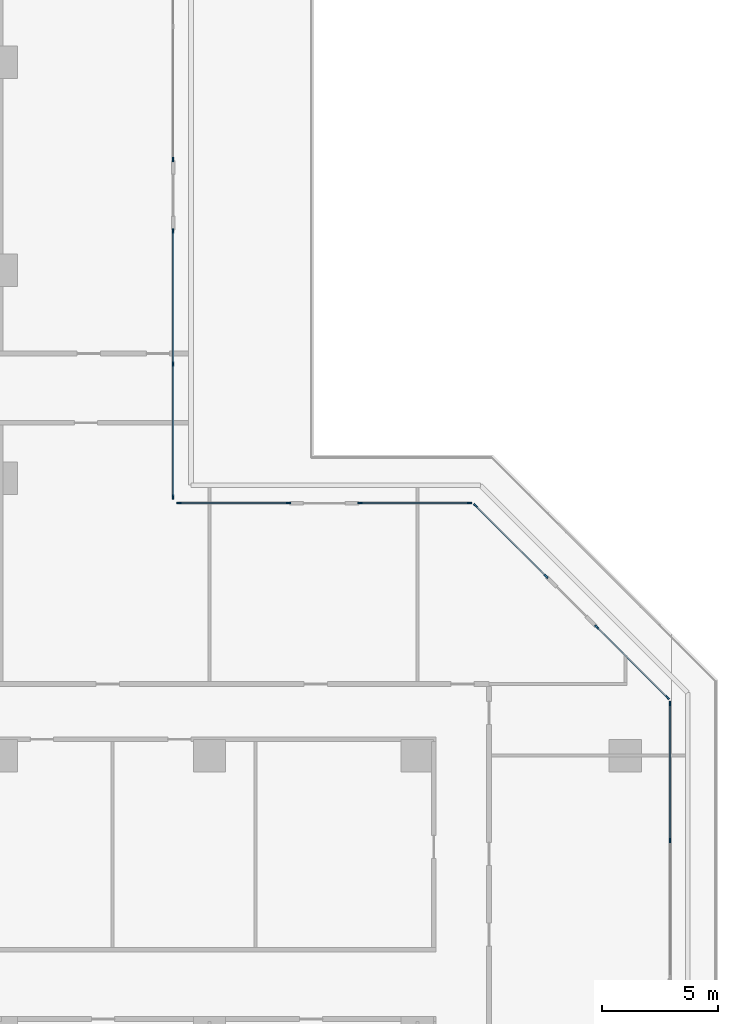
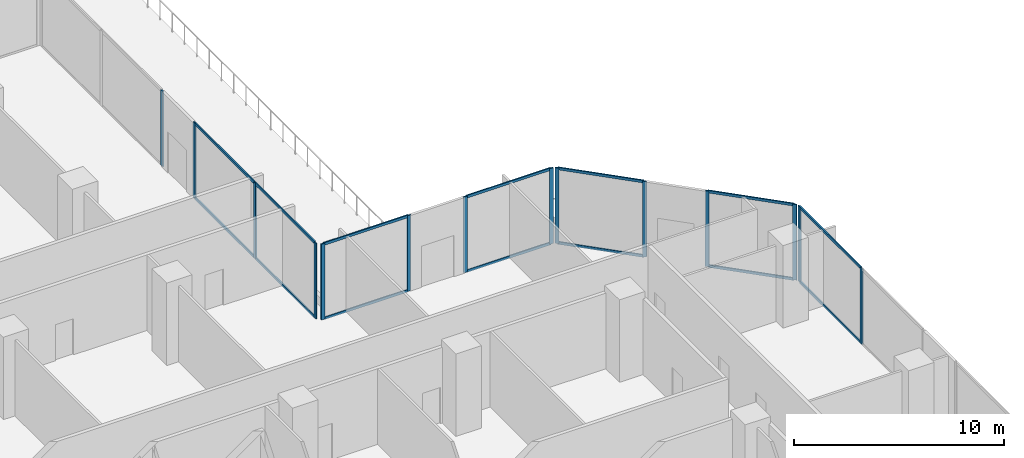
# One storey, part 8 of 31: 28 members, 7 elements without a shape of their own.
"""IFC4 building model written with IfcOpenShell, lengths in metres."""

import ifcopenshell
import ifcopenshell.guid

model = None  # the IFC model being written
_history = None  # IfcOwnerHistory: only IFC2X3 demands one
_inside = {}  # id of a spatial element -> (the spatial element, [elements in it])
_under = {}  # id of a project, library or spatial element -> (it, [spatial elements below it])
_declared = {}  # id of a project -> (the project, [libraries it declares])
_typed = {}  # id of a type object -> (the type object, [elements of that type])
_made_of = {}  # id of a material, layer set ... -> (it, [elements and type objects made of it])


def new_model(schema):
    """Start an empty IFC model of exactly this schema.

    Asked for "IFC4X3", IfcOpenShell would pick the latest addendum, in which some entities
    have other attributes; the version numbers below select the first issue.
    IFC2X3 requires an IfcOwnerHistory on every rooted entity: one is made here for all.
    """
    global model, _history
    if schema == "IFC4X3":
        model = ifcopenshell.file(schema_version=(4, 3, 0, 0))
    else:
        model = ifcopenshell.file(schema=schema)
    _inside.clear()
    _under.clear()
    _declared.clear()
    _typed.clear()
    _made_of.clear()
    _history = None
    if model.schema == "IFC2X3":
        org = make("IfcOrganization", Name="unknown")
        user = make(
            "IfcPersonAndOrganization",
            ThePerson=make("IfcPerson", FamilyName="unknown"),
            TheOrganization=org,
        )
        app = make(
            "IfcApplication",
            ApplicationDeveloper=org,
            Version="unknown",
            ApplicationFullName="unknown",
            ApplicationIdentifier="unknown",
        )
        _history = make(
            "IfcOwnerHistory",
            OwningUser=user,
            OwningApplication=app,
            ChangeAction="ADDED",
            CreationDate=0,
        )
    return model


def make(cls, **values):
    """One entity of the class cls with the attributes given. An attribute that is None is left unset."""
    return model.create_entity(
        cls, **{name: value for name, value in values.items() if value is not None}
    )


def rooted(cls, **values):
    """An entity with a GlobalId (a new one), such as an element, a storey or a relation."""
    return make(cls, GlobalId=ifcopenshell.guid.new(), OwnerHistory=_history, **values)


def si_unit(unit_type, name, prefix=None):
    """IfcSIUnit, for example si_unit("LENGTHUNIT", "METRE", prefix="MILLI")."""
    return make("IfcSIUnit", UnitType=unit_type, Prefix=prefix, Name=name)


def assignment(units):
    """IfcUnitAssignment: the units of a project."""
    return None if units is None else make("IfcUnitAssignment", Units=units)


def point(xyz):
    """IfcCartesianPoint."""
    return None if xyz is None else make("IfcCartesianPoint", Coordinates=xyz)


def direction(xyz):
    """IfcDirection."""
    return None if xyz is None else make("IfcDirection", DirectionRatios=xyz)


def frame(location, z_axis=None, x_axis=None):
    """IfcAxis2Placement3D, a coordinate frame: its origin and axes. An axis left out is left unset."""
    return make(
        "IfcAxis2Placement3D",
        Location=point(location),
        Axis=direction(z_axis),
        RefDirection=direction(x_axis),
    )


def frame_2d(location, x_axis=None):
    """IfcAxis2Placement2D, a coordinate frame in the plane: its origin and x axis."""
    return make(
        "IfcAxis2Placement2D", Location=point(location), RefDirection=direction(x_axis)
    )


def origin():
    """The frame at (0, 0, 0) with its axes left unset."""
    return frame((0.0, 0.0, 0.0))


def origin_2d():
    """The frame at (0, 0) in the plane with its x axis left unset."""
    return frame_2d((0.0, 0.0))


def place(relative_to, where):
    """IfcLocalPlacement: puts the frame where relative to a parent placement (None: the world)."""
    return make(
        "IfcLocalPlacement", PlacementRelTo=relative_to, RelativePlacement=where
    )


def context(
    kind, dimensions, precision=None, world=None, true_north=None, identifier=None
):
    """IfcGeometricRepresentationContext, for example the 3D "Model" context."""
    return make(
        "IfcGeometricRepresentationContext",
        ContextIdentifier=identifier,
        ContextType=kind,
        CoordinateSpaceDimension=dimensions,
        Precision=precision,
        WorldCoordinateSystem=world,
        TrueNorth=true_north,
    )


def subcontext(parent, identifier, kind, view, scale=None):
    """IfcGeometricRepresentationSubContext, for example "Body" below "Model"."""
    return make(
        "IfcGeometricRepresentationSubContext",
        ContextIdentifier=identifier,
        ContextType=kind,
        ParentContext=parent,
        TargetScale=scale,
        TargetView=view,
    )


def project(units=None, contexts=None):
    """IfcProject with its units and contexts."""
    return rooted(
        "IfcProject",
        Name="project",
        RepresentationContexts=contexts,
        UnitsInContext=assignment(units),
    )


def spatial(cls, under=None, at=None, **own):
    """A site, building, storey or space (cls), placed at a placement, below another one or the project."""
    s = rooted(cls, ObjectPlacement=at, **own)
    if under is not None:
        _under.setdefault(under.id(), (under, []))[1].append(s)
    return s


def profile(cls, at=None, kind="AREA", **sizes):
    """A parametric profile (cls). Its sizes go by their IFC names, for example OverallWidth=200.0."""
    return make(cls, ProfileType=kind, Position=at, **sizes)


def rectangle(**sizes):
    """IfcRectangleProfileDef."""
    return profile("IfcRectangleProfileDef", **sizes)


def extrude(swept, where, along, depth):
    """IfcExtrudedAreaSolid: the profile swept, set in the frame where, extruded along a direction by depth."""
    return make(
        "IfcExtrudedAreaSolid",
        SweptArea=swept,
        Position=where,
        ExtrudedDirection=direction(along),
        Depth=depth,
    )


def shape(context_of_items, identifier, shape_type, items):
    """IfcShapeRepresentation: the items that make up one representation, for example the "Body"."""
    return make(
        "IfcShapeRepresentation",
        ContextOfItems=context_of_items,
        RepresentationIdentifier=identifier,
        RepresentationType=shape_type,
        Items=items,
    )


def material(Name=None, Category=None):
    """IfcMaterial."""
    return make("IfcMaterial", Name=Name, Category=Category)


def layer(
    of_material, thickness, ventilated=None, Name=None, Category=None, Priority=None
):
    """IfcMaterialLayer: one layer of a wall or slab, of a material (None: an air gap)."""
    return make(
        "IfcMaterialLayer",
        Material=of_material,
        LayerThickness=thickness,
        IsVentilated=ventilated,
        Name=Name,
        Category=Category,
        Priority=Priority,
    )


def layer_set(layers, Name=None):
    """IfcMaterialLayerSet."""
    return make("IfcMaterialLayerSet", MaterialLayers=layers, LayerSetName=Name)


def material_profile(
    of_material, cross_section, Name=None, Category=None, Priority=None
):
    """IfcMaterialProfile: a cross section and its material."""
    return make(
        "IfcMaterialProfile",
        Name=Name,
        Material=of_material,
        Profile=cross_section,
        Priority=Priority,
        Category=Category,
    )


def profile_set(profiles, Name=None, composite=None):
    """IfcMaterialProfileSet."""
    return make(
        "IfcMaterialProfileSet",
        Name=Name,
        MaterialProfiles=profiles,
        CompositeProfile=composite,
    )


def made_of(thing, what):
    """Note that an element or type object is made of a material, layer set ...; save() writes the relation."""
    if what is not None:
        _made_of.setdefault(what.id(), (what, []))[1].append(thing)
    return thing


def type_object(cls, material=None, **own):
    """A type object (cls), such as IfcWallType, which elements share."""
    return made_of(rooted(cls, **own), material)


def element(
    cls,
    number,
    at=None,
    inside=None,
    cuts=None,
    type_object=None,
    material=None,
    context=None,
    identifier="Body",
    shape_type=None,
    held_by="IfcProductDefinitionShape",
    body=None,
    shapes=None,
    **own,
):
    """One element of the class cls, such as IfcWall. Its Tag is "e" and its number.

    at: its placement. inside: the storey or other place that contains it. cuts: it is an
    opening in that element (IfcRelVoidsElement). A single representation is given by context,
    identifier, shape_type and body (its items); several are given by shapes. held_by: the class
    of the entity that holds the representations. save() writes the other relations.
    """
    e = rooted(cls, Tag="e%d" % number, ObjectPlacement=at, **own)
    if body is not None:
        shapes = [shape(context, identifier, shape_type, body)]
    if shapes is not None:
        e.Representation = make(held_by, Representations=shapes)
    if inside is not None:
        _inside.setdefault(inside.id(), (inside, []))[1].append(e)
    if cuts is not None:
        rooted(
            "IfcRelVoidsElement", RelatingBuildingElement=cuts, RelatedOpeningElement=e
        )
    if type_object is not None:
        _typed.setdefault(type_object.id(), (type_object, []))[1].append(e)
    return made_of(e, material)


def aggregate(whole, parts):
    """IfcRelAggregates: a whole, such as a stair, and the parts it consists of."""
    return rooted("IfcRelAggregates", RelatingObject=whole, RelatedObjects=parts)


def save(model, path):
    """Write the relations noted so far, then the file.

    IfcRelAggregates (storeys below a building ...), IfcRelContainedInSpatialStructure (elements
    in a storey), IfcRelDefinesByType, IfcRelAssociatesMaterial and IfcRelDeclares: one each for
    every whole, place, type object, material and project.
    """
    for whole, parts in _under.values():
        aggregate(whole, parts)
    for where, things in _inside.values():
        rooted(
            "IfcRelContainedInSpatialStructure",
            RelatedElements=things,
            RelatingStructure=where,
        )
    for kind, things in _typed.values():
        rooted("IfcRelDefinesByType", RelatedObjects=things, RelatingType=kind)
    for what, things in _made_of.values():
        rooted("IfcRelAssociatesMaterial", RelatedObjects=things, RelatingMaterial=what)
    for by, libraries in _declared.values():
        rooted("IfcRelDeclares", RelatingContext=by, RelatedDefinitions=libraries)
    model.write(path)


model = new_model("IFC4")

# Units and contexts
model_context = context("Model", 3, precision=1e-05, world=origin(), true_north=direction((0.0, 1.0)))
body_context = subcontext(model_context, "Body", "Model", "MODEL_VIEW")
ifc_project = project(units=[si_unit("LENGTHUNIT", "METRE"), si_unit("AREAUNIT", "SQUARE_METRE"), si_unit("VOLUMEUNIT", "CUBIC_METRE"), si_unit("PLANEANGLEUNIT", "RADIAN"), si_unit("MASSUNIT", "GRAM", prefix="KILO")], contexts=[model_context])

# Site, building, storey
site_placement = place(None, origin())
site = spatial("IfcSite", under=ifc_project, at=site_placement, CompositionType="ELEMENT")
building_placement = place(site_placement, origin())
building = spatial("IfcBuilding", under=site, at=building_placement, Name="Chenar Terraces", CompositionType="ELEMENT")
storey_placement = place(building_placement, frame((0.0, 0.0, 12.0)))
storey = spatial("IfcBuildingStorey", under=building, at=storey_placement, Name="L02", CompositionType="ELEMENT", Elevation=12.0)

# Curtain wall, members
ifc_material_1 = material(Name="Aluminium framed glazing", Category="aluminium")
ifc_layer = layer(ifc_material_1, 0.14990234375)
ifc_layer_set = layer_set([ifc_layer], Name="Aluminium framed glazing")
curtain_wall_type = type_object("IfcCurtainWallType", Name="School curtain wall", PredefinedType="NOTDEFINED", material=ifc_layer_set)
placement = place(storey_placement, origin())
curtain_wall_1 = element("IfcCurtainWall", 1, at=placement, inside=storey, type_object=curtain_wall_type, Name="School curtain wall", PredefinedType="NOTDEFINED")
ifc_material_2 = material(Name="Aluminium", Category="aluminium")
ifc_material_profile_1 = material_profile(ifc_material_2, rectangle(XDim=0.070068359375, YDim=0.199951171875, at=origin_2d()), Name="School glazing mullion 70 x 200")
ifc_profile_set_1 = profile_set([ifc_material_profile_1], Name="Aluminium")
member_type_1 = type_object("IfcMemberType", Name="School glazing mullion 70 x 200", PredefinedType="MULLION", material=ifc_profile_set_1)
member_1_placement = place(storey_placement, frame((82.925048828125, 20.32373046875, 0.0), z_axis=(0.0, 0.0, 1.0), x_axis=(-1.0, 0.0, 0.0)))
member_1 = element("IfcMember", 2, at=member_1_placement, type_object=member_type_1, Name="CW2-09c1 mullion 2", PredefinedType="MULLION", context=body_context, shape_type="SweptSolid", body=[
    extrude(rectangle(XDim=0.070068359375, YDim=0.199951171875, at=origin_2d()), origin(), (0.0, 0.0, 1.0), 4.39990234375),
])
member_2_placement = place(storey_placement, frame((82.925048828125, 26.25, 0.0), z_axis=(0.0, 0.0, 1.0), x_axis=(-1.0, 0.0, 0.0)))
member_2 = element("IfcMember", 3, at=member_2_placement, type_object=member_type_1, Name="CW2-09c1 mullion 3", PredefinedType="MULLION", context=body_context, shape_type="SweptSolid", body=[
    extrude(rectangle(XDim=0.070068359375, YDim=0.199951171875, at=origin_2d()), origin(), (0.0, 0.0, 1.0), 4.39990234375),
])

curtain_wall_2 = element("IfcCurtainWall", 4, at=placement, inside=storey, type_object=curtain_wall_type, Name="School curtain wall", PredefinedType="NOTDEFINED")
member_3_placement = place(storey_placement, frame((82.816162109375, 26.5126953125, 0.0), z_axis=(0.0, 0.0, 1.0), x_axis=(-0.707106781187, -0.707106781187, 0.0)))
member_3 = element("IfcMember", 5, at=member_3_placement, type_object=member_type_1, Name="CW2-10c0 mullion 1", PredefinedType="MULLION", context=body_context, shape_type="SweptSolid", body=[
    extrude(rectangle(XDim=0.070068359375, YDim=0.199951171875, at=origin_2d()), origin(), (0.0, 0.0, 1.0), 4.39990234375),
])
member_4_placement = place(storey_placement, frame((79.7587890625, 29.5703125, 0.0), z_axis=(0.0, 0.0, 1.0), x_axis=(-0.707106781187, -0.707106781187, 0.0)))
member_4 = element("IfcMember", 6, at=member_4_placement, type_object=member_type_1, Name="CW2-10c0 mullion 2", PredefinedType="MULLION", context=body_context, shape_type="SweptSolid", body=[
    extrude(rectangle(XDim=0.070068359375, YDim=0.199951171875, at=origin_2d()), origin(), (0.0, 0.0, 1.0), 4.39990234375),
])

curtain_wall_3 = element("IfcCurtainWall", 7, at=placement, inside=storey, type_object=curtain_wall_type, Name="School curtain wall", PredefinedType="NOTDEFINED")
member_5_placement = place(storey_placement, frame((77.5703125, 31.7587890625, 0.0), z_axis=(0.0, 0.0, 1.0), x_axis=(-0.707106781187, -0.707106781187, 0.0)))
member_5 = element("IfcMember", 8, at=member_5_placement, type_object=member_type_1, Name="CW2-10c1 mullion 1", PredefinedType="MULLION", context=body_context, shape_type="SweptSolid", body=[
    extrude(rectangle(XDim=0.070068359375, YDim=0.199951171875, at=origin_2d()), origin(), (0.0, 0.0, 1.0), 4.39990234375),
])
member_6_placement = place(storey_placement, frame((74.5126953125, 34.816162109375, 0.0), z_axis=(0.0, 0.0, 1.0), x_axis=(-0.707106781187, -0.707106781187, 0.0)))
member_6 = element("IfcMember", 9, at=member_6_placement, type_object=member_type_1, Name="CW2-10c1 mullion 2", PredefinedType="MULLION", context=body_context, shape_type="SweptSolid", body=[
    extrude(rectangle(XDim=0.070068359375, YDim=0.199951171875, at=origin_2d()), origin(), (0.0, 0.0, 1.0), 4.39990234375),
])

curtain_wall_4 = element("IfcCurtainWall", 10, at=placement, inside=storey, type_object=curtain_wall_type, Name="School curtain wall", PredefinedType="NOTDEFINED")
member_7_placement = place(storey_placement, frame((74.25, 34.925048828125, 0.0), z_axis=(0.0, 0.0, 1.0), x_axis=(0.0, -1.0, 0.0)))
member_7 = element("IfcMember", 11, at=member_7_placement, type_object=member_type_1, Name="CW2-11c0 mullion 1", PredefinedType="MULLION", context=body_context, shape_type="SweptSolid", body=[
    extrude(rectangle(XDim=0.070068359375, YDim=0.199951171875, at=origin_2d()), origin(), (0.0, 0.0, 1.0), 4.39990234375),
])
member_8_placement = place(storey_placement, frame((69.514892578125, 34.925048828125, 0.0), z_axis=(0.0, 0.0, 1.0), x_axis=(0.0, -1.0, 0.0)))
member_8 = element("IfcMember", 12, at=member_8_placement, type_object=member_type_1, Name="CW2-11c0 mullion 2", PredefinedType="MULLION", context=body_context, shape_type="SweptSolid", body=[
    extrude(rectangle(XDim=0.070068359375, YDim=0.199951171875, at=origin_2d()), origin(), (0.0, 0.0, 1.0), 4.39990234375),
])

curtain_wall_5 = element("IfcCurtainWall", 13, at=placement, inside=storey, type_object=curtain_wall_type, Name="School curtain wall", PredefinedType="NOTDEFINED")
member_9_placement = place(storey_placement, frame((66.419921875, 34.925048828125, 0.0), z_axis=(0.0, 0.0, 1.0), x_axis=(0.0, -1.0, 0.0)))
member_9 = element("IfcMember", 14, at=member_9_placement, type_object=member_type_1, Name="CW2-11c1 mullion 1", PredefinedType="MULLION", context=body_context, shape_type="SweptSolid", body=[
    extrude(rectangle(XDim=0.070068359375, YDim=0.199951171875, at=origin_2d()), origin(), (0.0, 0.0, 1.0), 4.39990234375),
])
member_10_placement = place(storey_placement, frame((61.68505859375, 34.925048828125, 0.0), z_axis=(0.0, 0.0, 1.0), x_axis=(0.0, -1.0, 0.0)))
member_10 = element("IfcMember", 15, at=member_10_placement, type_object=member_type_1, Name="CW2-11c1 mullion 2", PredefinedType="MULLION", context=body_context, shape_type="SweptSolid", body=[
    extrude(rectangle(XDim=0.070068359375, YDim=0.199951171875, at=origin_2d()), origin(), (0.0, 0.0, 1.0), 4.39990234375),
])

curtain_wall_6 = element("IfcCurtainWall", 16, at=placement, inside=storey, type_object=curtain_wall_type, Name="School curtain wall", PredefinedType="NOTDEFINED")
member_11_placement = place(storey_placement, frame((61.425048828125, 35.18505859375, 0.0), z_axis=(0.0, 0.0, 1.0), x_axis=(-1.0, 0.0, 0.0)))
member_11 = element("IfcMember", 17, at=member_11_placement, type_object=member_type_1, Name="CW2-12c0 mullion 1", PredefinedType="MULLION", context=body_context, shape_type="SweptSolid", body=[
    extrude(rectangle(XDim=0.070068359375, YDim=0.199951171875, at=origin_2d()), origin(), (0.0, 0.0, 1.0), 4.39990234375),
])
member_12_placement = place(storey_placement, frame((61.425048828125, 40.94384765625, 0.0), z_axis=(0.0, 0.0, 1.0), x_axis=(-1.0, 0.0, 0.0)))
member_12 = element("IfcMember", 18, at=member_12_placement, type_object=member_type_1, Name="CW2-12c0 mullion 2", PredefinedType="MULLION", context=body_context, shape_type="SweptSolid", body=[
    extrude(rectangle(XDim=0.070068359375, YDim=0.199951171875, at=origin_2d()), origin(), (0.0, 0.0, 1.0), 4.39990234375),
])
member_13_placement = place(storey_placement, frame((61.425048828125, 46.702392578125, 0.0), z_axis=(0.0, 0.0, 1.0), x_axis=(-1.0, 0.0, 0.0)))
member_13 = element("IfcMember", 19, at=member_13_placement, type_object=member_type_1, Name="CW2-12c0 mullion 3", PredefinedType="MULLION", context=body_context, shape_type="SweptSolid", body=[
    extrude(rectangle(XDim=0.070068359375, YDim=0.199951171875, at=origin_2d()), origin(), (0.0, 0.0, 1.0), 4.39990234375),
])

# Curtain wall, member
curtain_wall_7 = element("IfcCurtainWall", 20, at=placement, inside=storey, type_object=curtain_wall_type, Name="School curtain wall", PredefinedType="NOTDEFINED")
member_14_placement = place(storey_placement, frame((61.425048828125, 49.797607421875, 0.0), z_axis=(0.0, 0.0, 1.0), x_axis=(-1.0, 0.0, 0.0)))
member_14 = element("IfcMember", 21, at=member_14_placement, type_object=member_type_1, Name="CW2-12c1 mullion 1", PredefinedType="MULLION", context=body_context, shape_type="SweptSolid", body=[
    extrude(rectangle(XDim=0.070068359375, YDim=0.199951171875, at=origin_2d()), origin(), (0.0, 0.0, 1.0), 4.39990234375),
])
aggregate(curtain_wall_7, [member_14])

# Member
ifc_material_3 = material(Name="Aluminium", Category="aluminium")
ifc_material_profile_2 = material_profile(ifc_material_3, rectangle(XDim=0.070068359375, YDim=0.14990234375, at=origin_2d()), Name="School glazing transom 70 x 150")
ifc_profile_set_2 = profile_set([ifc_material_profile_2], Name="Aluminium")
member_type_2 = type_object("IfcMemberType", Name="School glazing transom 70 x 150", PredefinedType="USERDEFINED", material=ifc_profile_set_2)
member_15_placement = place(storey_placement, frame((82.925048828125, 20.358642578125, 0.034912109375), z_axis=(0.0, 1.0, 0.0), x_axis=(-1.0, 0.0, 0.0)))
member_15 = element("IfcMember", 22, at=member_15_placement, type_object=member_type_2, Name="CW2-09c1 transom 2.1", ObjectType="TRANSOM", PredefinedType="USERDEFINED", context=body_context, shape_type="SweptSolid", body=[
    extrude(rectangle(XDim=0.070068359375, YDim=0.14990234375, at=origin_2d()), origin(), (0.0, 0.0, 1.0), 5.8564453125),
])

member_16_placement = place(storey_placement, frame((82.925048828125, 20.358642578125, 4.364990234375), z_axis=(0.0, 1.0, 0.0), x_axis=(-1.0, 0.0, 0.0)))
member_16 = element("IfcMember", 23, at=member_16_placement, type_object=member_type_2, Name="CW2-09c1 transom 2.2", ObjectType="TRANSOM", PredefinedType="USERDEFINED", context=body_context, shape_type="SweptSolid", body=[
    extrude(rectangle(XDim=0.070068359375, YDim=0.14990234375, at=origin_2d()), origin(), (0.0, 0.0, 1.0), 5.8564453125),
])

aggregate(curtain_wall_1, [member_1, member_2, member_15, member_16])

member_17_placement = place(storey_placement, frame((82.79150390625, 26.53759765625, 0.034912109375), z_axis=(-0.707135476955, 0.707078084253, 0.0), x_axis=(-0.707078084253, -0.707135476955, 0.0)))
member_17 = element("IfcMember", 24, at=member_17_placement, type_object=member_type_2, Name="CW2-10c0 transom 1.1", ObjectType="TRANSOM", PredefinedType="USERDEFINED", context=body_context, shape_type="SweptSolid", body=[
    extrude(rectangle(XDim=0.070068359375, YDim=0.14990234375, at=origin_2d()), origin(), (0.0, 0.0, 1.0), 4.25390625),
])

member_18_placement = place(storey_placement, frame((82.79150390625, 26.53759765625, 4.364990234375), z_axis=(-0.707135476955, 0.707078084253, 0.0), x_axis=(-0.707078084253, -0.707135476955, 0.0)))
member_18 = element("IfcMember", 25, at=member_18_placement, type_object=member_type_2, Name="CW2-10c0 transom 1.2", ObjectType="TRANSOM", PredefinedType="USERDEFINED", context=body_context, shape_type="SweptSolid", body=[
    extrude(rectangle(XDim=0.070068359375, YDim=0.14990234375, at=origin_2d()), origin(), (0.0, 0.0, 1.0), 4.25390625),
])

aggregate(curtain_wall_2, [member_3, member_4, member_17, member_18])

member_19_placement = place(storey_placement, frame((77.54541015625, 31.783447265625, 0.034912109375), z_axis=(-0.707078084253, 0.707135476955, 0.0), x_axis=(-0.707135476955, -0.707078084253, 0.0)))
member_19 = element("IfcMember", 26, at=member_19_placement, type_object=member_type_2, Name="CW2-10c1 transom 1.1", ObjectType="TRANSOM", PredefinedType="USERDEFINED", context=body_context, shape_type="SweptSolid", body=[
    extrude(rectangle(XDim=0.070068359375, YDim=0.14990234375, at=origin_2d()), origin(), (0.0, 0.0, 1.0), 4.25390625),
])

member_20_placement = place(storey_placement, frame((77.54541015625, 31.783447265625, 4.364990234375), z_axis=(-0.707078084253, 0.707135476955, 0.0), x_axis=(-0.707135476955, -0.707078084253, 0.0)))
member_20 = element("IfcMember", 27, at=member_20_placement, type_object=member_type_2, Name="CW2-10c1 transom 1.2", ObjectType="TRANSOM", PredefinedType="USERDEFINED", context=body_context, shape_type="SweptSolid", body=[
    extrude(rectangle(XDim=0.070068359375, YDim=0.14990234375, at=origin_2d()), origin(), (0.0, 0.0, 1.0), 4.25390625),
])

aggregate(curtain_wall_3, [member_5, member_6, member_19, member_20])

member_21_placement = place(storey_placement, frame((74.215087890625, 34.925048828125, 0.034912109375), z_axis=(-1.0, 0.0, 0.0), x_axis=(0.0, -1.0, 0.0)))
member_21 = element("IfcMember", 28, at=member_21_placement, type_object=member_type_2, Name="CW2-11c0 transom 1.1", ObjectType="TRANSOM", PredefinedType="USERDEFINED", context=body_context, shape_type="SweptSolid", body=[
    extrude(rectangle(XDim=0.070068359375, YDim=0.14990234375, at=origin_2d()), origin(), (0.0, 0.0, 1.0), 4.6650390625),
])

member_22_placement = place(storey_placement, frame((74.215087890625, 34.925048828125, 4.364990234375), z_axis=(-1.0, 0.0, 0.0), x_axis=(0.0, -1.0, 0.0)))
member_22 = element("IfcMember", 29, at=member_22_placement, type_object=member_type_2, Name="CW2-11c0 transom 1.2", ObjectType="TRANSOM", PredefinedType="USERDEFINED", context=body_context, shape_type="SweptSolid", body=[
    extrude(rectangle(XDim=0.070068359375, YDim=0.14990234375, at=origin_2d()), origin(), (0.0, 0.0, 1.0), 4.6650390625),
])

aggregate(curtain_wall_4, [member_7, member_8, member_21, member_22])

member_23_placement = place(storey_placement, frame((66.385009765625, 34.925048828125, 0.034912109375), z_axis=(-1.0, 0.0, 0.0), x_axis=(0.0, -1.0, 0.0)))
member_23 = element("IfcMember", 30, at=member_23_placement, type_object=member_type_2, Name="CW2-11c1 transom 1.1", ObjectType="TRANSOM", PredefinedType="USERDEFINED", context=body_context, shape_type="SweptSolid", body=[
    extrude(rectangle(XDim=0.070068359375, YDim=0.14990234375, at=origin_2d()), origin(), (0.0, 0.0, 1.0), 4.6650390625),
])

member_24_placement = place(storey_placement, frame((66.385009765625, 34.925048828125, 4.364990234375), z_axis=(-1.0, 0.0, 0.0), x_axis=(0.0, -1.0, 0.0)))
member_24 = element("IfcMember", 31, at=member_24_placement, type_object=member_type_2, Name="CW2-11c1 transom 1.2", ObjectType="TRANSOM", PredefinedType="USERDEFINED", context=body_context, shape_type="SweptSolid", body=[
    extrude(rectangle(XDim=0.070068359375, YDim=0.14990234375, at=origin_2d()), origin(), (0.0, 0.0, 1.0), 4.6650390625),
])

aggregate(curtain_wall_5, [member_9, member_10, member_23, member_24])

member_25_placement = place(storey_placement, frame((61.425048828125, 35.219970703125, 0.034912109375), z_axis=(0.0, 1.0, 0.0), x_axis=(-1.0, 0.0, 0.0)))
member_25 = element("IfcMember", 32, at=member_25_placement, type_object=member_type_2, Name="CW2-12c0 transom 1.1", ObjectType="TRANSOM", PredefinedType="USERDEFINED", context=body_context, shape_type="SweptSolid", body=[
    extrude(rectangle(XDim=0.070068359375, YDim=0.14990234375, at=origin_2d()), origin(), (0.0, 0.0, 1.0), 5.688720703125),
])

member_26_placement = place(storey_placement, frame((61.425048828125, 35.219970703125, 4.364990234375), z_axis=(0.0, 1.0, 0.0), x_axis=(-1.0, 0.0, 0.0)))
member_26 = element("IfcMember", 33, at=member_26_placement, type_object=member_type_2, Name="CW2-12c0 transom 1.2", ObjectType="TRANSOM", PredefinedType="USERDEFINED", context=body_context, shape_type="SweptSolid", body=[
    extrude(rectangle(XDim=0.070068359375, YDim=0.14990234375, at=origin_2d()), origin(), (0.0, 0.0, 1.0), 5.688720703125),
])

member_27_placement = place(storey_placement, frame((61.425048828125, 40.978759765625, 0.034912109375), z_axis=(0.0, 1.0, 0.0), x_axis=(-1.0, 0.0, 0.0)))
member_27 = element("IfcMember", 34, at=member_27_placement, type_object=member_type_2, Name="CW2-12c0 transom 2.1", ObjectType="TRANSOM", PredefinedType="USERDEFINED", context=body_context, shape_type="SweptSolid", body=[
    extrude(rectangle(XDim=0.070068359375, YDim=0.14990234375, at=origin_2d()), origin(), (0.0, 0.0, 1.0), 5.688720703125),
])

member_28_placement = place(storey_placement, frame((61.425048828125, 40.978759765625, 4.364990234375), z_axis=(0.0, 1.0, 0.0), x_axis=(-1.0, 0.0, 0.0)))
member_28 = element("IfcMember", 35, at=member_28_placement, type_object=member_type_2, Name="CW2-12c0 transom 2.2", ObjectType="TRANSOM", PredefinedType="USERDEFINED", context=body_context, shape_type="SweptSolid", body=[
    extrude(rectangle(XDim=0.070068359375, YDim=0.14990234375, at=origin_2d()), origin(), (0.0, 0.0, 1.0), 5.688720703125),
])

aggregate(curtain_wall_6, [member_11, member_12, member_13, member_25, member_26, member_27, member_28])

save(model, "model.ifc")
